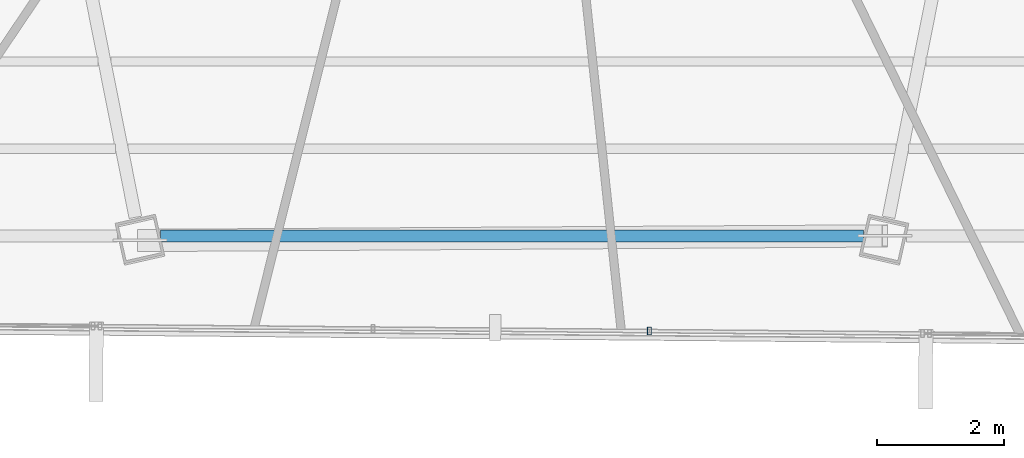
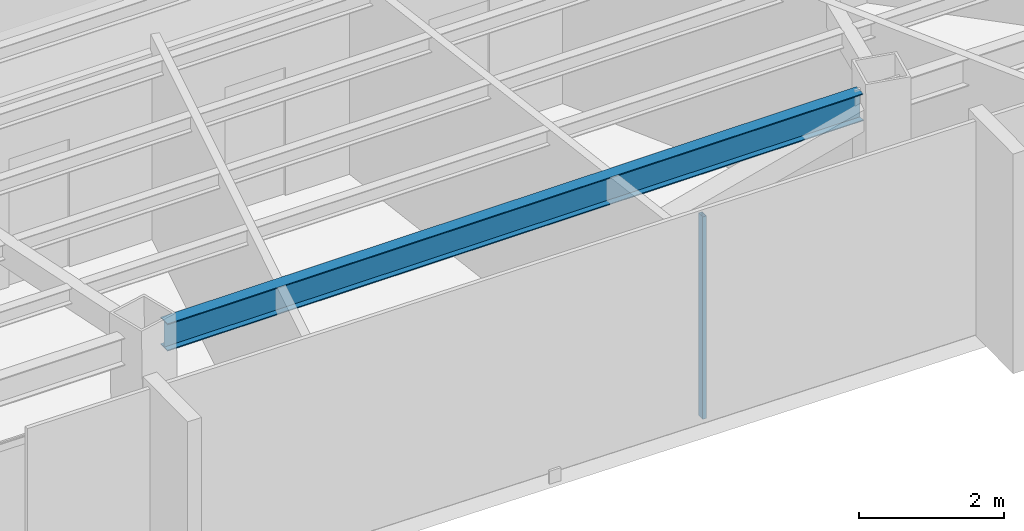
# One storey, part 13 of 42: 1 beam, 1 member, 1 element without a shape of its own.
"""IFC4 building model written with IfcOpenShell, lengths in metres."""

from ifc_helpers import new_model, si_unit, direction, frame, origin, origin_2d, place, context, subcontext, project, spatial, hollow_rectangle, i_section, extrude, source, transform, mapped, material, material_profile, profile_set, type_object, type_shapes, element, aggregate, save


model = new_model("IFC4")

# Units and contexts
model_context = context("Model", 3, precision=1e-05, world=origin(), true_north=direction((0.0, 1.0)))
body_context = subcontext(model_context, "Body", "Model", "MODEL_VIEW")
ifc_project = project(units=[si_unit("LENGTHUNIT", "METRE"), si_unit("AREAUNIT", "SQUARE_METRE"), si_unit("VOLUMEUNIT", "CUBIC_METRE"), si_unit("PLANEANGLEUNIT", "RADIAN"), si_unit("MASSUNIT", "GRAM", prefix="KILO")], contexts=[model_context])

# Site, building, storey
site_placement = place(None, origin())
site = spatial("IfcSite", under=ifc_project, at=site_placement, CompositionType="ELEMENT")
building_placement = place(site_placement, origin())
building = spatial("IfcBuilding", under=site, at=building_placement, Name="Caelisora Broadcast Tower", CompositionType="ELEMENT")
storey_placement = place(building_placement, frame((0.0, 0.0, 244.449951171875)))
storey = spatial("IfcBuildingStorey", under=building, at=storey_placement, Name="L64", CompositionType="ELEMENT", Elevation=244.449951171875)

# Beam
ifc_material_1 = material(Name="Steel Grade 350 (AS/NZS 3679.1)", Category="steel")
ifc_material_profile_1 = material_profile(ifc_material_1, i_section(OverallWidth=0.19091796875, OverallDepth=0.46044921875, WebThickness=0.010009765625, FlangeThickness=0.01611328125, at=origin_2d()), Name="Steel Grade 350 (AS/NZS 3679.1)")
ifc_profile_set_1 = profile_set([ifc_material_profile_1], Name="Steel Grade 350 (AS/NZS 3679.1)")
beam_type = type_object("IfcBeamType", Name="PG06", PredefinedType="BEAM", material=ifc_profile_set_1)
shared_shape_1 = source(origin(), body_context, "Body", "SweptSolid", [
    extrude(i_section(OverallWidth=0.19091796875, OverallDepth=0.46044921875, WebThickness=0.010009765625, FlangeThickness=0.01611328125, at=origin_2d()), origin(), (0.0, 0.0, 1.0), 11.05859375),
])
type_shapes(beam_type, [shared_shape_1])
beam_placement = place(storey_placement, frame((32.470703125, 9.16748046875, 3.169921875), z_axis=(1.0, 0.0, 0.0), x_axis=(0.0, 1.0, 0.0)))
element("IfcBeam", 1, at=beam_placement, inside=storey, type_object=beam_type, Name="L64 beam PG06", PredefinedType="BEAM", context=body_context, shape_type="MappedRepresentation", body=[
    mapped(shared_shape_1, transform((0.0, 0.0, 0.0), scale=1.0)),
])

# Curtain wall, member
ifc_material_2 = material(Name="Unitised Aluminium Insulated Shadow-Box Spandrel Curtain Wall", Category="aluminium")
curtain_wall_type = type_object("IfcCurtainWallType", Name="CW-SP3", PredefinedType="NOTDEFINED", material=ifc_material_2)
curtain_wall_placement = place(storey_placement, origin())
curtain_wall = element("IfcCurtainWall", 2, at=curtain_wall_placement, inside=storey, type_object=curtain_wall_type, Name="L64 curtain wall CW-SP3", PredefinedType="NOTDEFINED")
ifc_material_3 = material(Name="Aluminium 6063-T6 Anodised Terracotta Bronze", Category="aluminium")
ifc_material_profile_2 = material_profile(ifc_material_3, hollow_rectangle(XDim=0.06005859375, YDim=0.1201171875, WallThickness=0.0029296875, at=origin_2d()), Name="Aluminium 6063-T6 Anodised Terracotta Bronze")
ifc_profile_set_2 = profile_set([ifc_material_profile_2], Name="Aluminium 6063-T6 Anodised Terracotta Bronze")
member_type = type_object("IfcMemberType", Name="CWM-04", PredefinedType="MULLION", material=ifc_profile_set_2)
shared_shape_2 = source(origin(), body_context, "Body", "SweptSolid", [
    extrude(hollow_rectangle(XDim=0.06005859375, YDim=0.1201171875, WallThickness=0.0029296875, at=origin_2d()), origin(), (0.0, 0.0, 1.0), 3.400146484375),
])
type_shapes(member_type, [shared_shape_2])
member_placement = place(storey_placement, frame((40.160888671875, 7.669677734375, 0.0), z_axis=(0.0, 0.0, 1.0), x_axis=(1.0, 0.0, 0.0)))
member = element("IfcMember", 3, at=member_placement, type_object=member_type, Name="L64-CW-B06 mullion #1", PredefinedType="MULLION", context=body_context, shape_type="MappedRepresentation", body=[
    mapped(shared_shape_2, transform((0.0, 0.0, 0.0), scale=1.0)),
])
aggregate(curtain_wall, [member])

save(model, "model.ifc")
